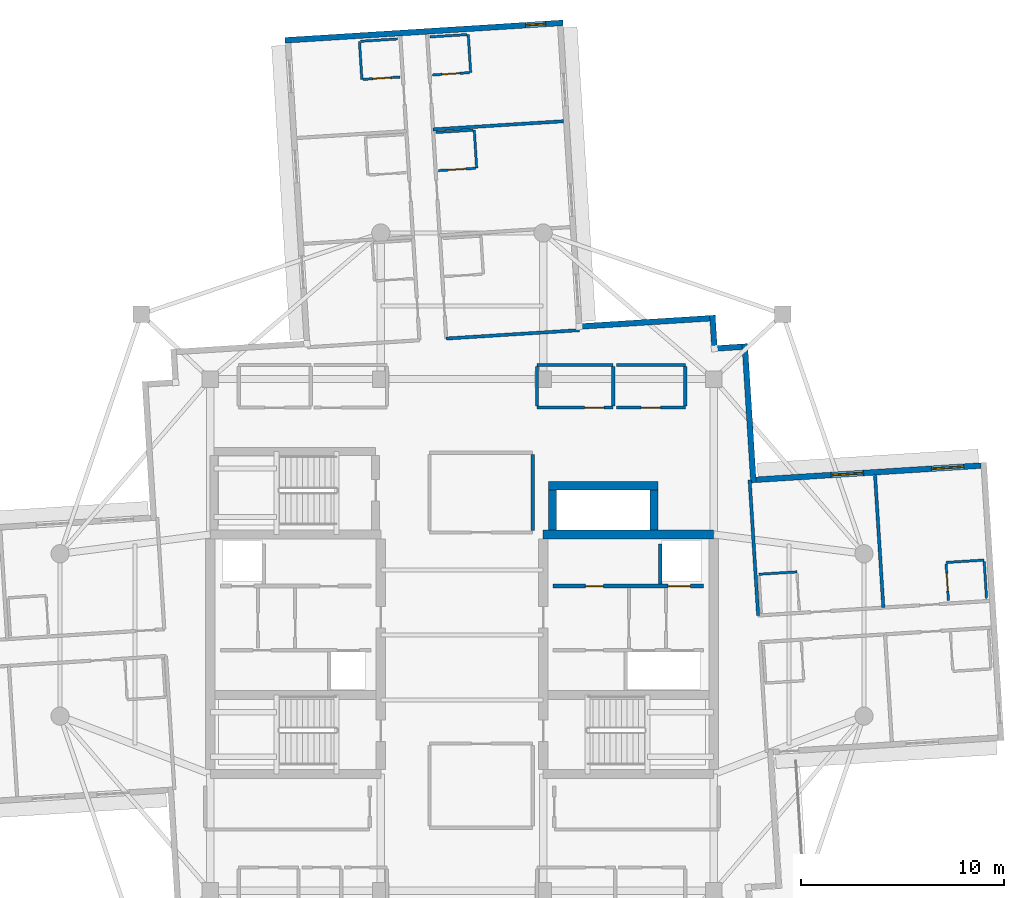
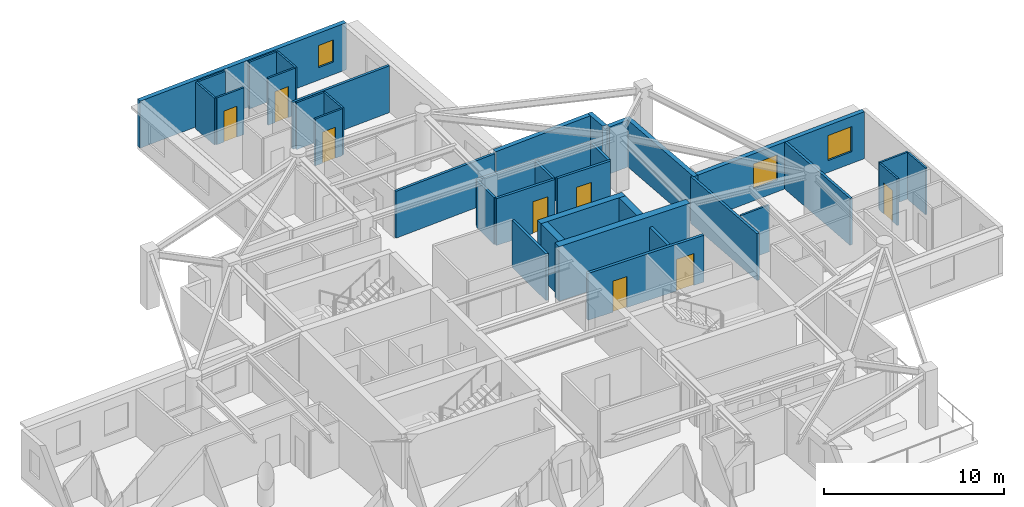
# One storey, part 8 of 13: 37 walls, 8 doors, 3 windows, 11 openings.
"""IFC4 building model written with IfcOpenShell, lengths in metres."""

from ifc_helpers import new_model, si_unit, direction, frame, frame_2d, origin, place, context, subcontext, project, spatial, rectangle, extrude, material, layer, layer_set, type_object, element, fill, save


model = new_model("IFC4")

# Units and contexts
model_context = context("Model", 3, precision=1e-05, world=origin(), true_north=direction((0.0, 1.0)))
body_context = subcontext(model_context, "Body", "Model", "MODEL_VIEW")
ifc_project = project(units=[si_unit("LENGTHUNIT", "METRE"), si_unit("AREAUNIT", "SQUARE_METRE"), si_unit("VOLUMEUNIT", "CUBIC_METRE"), si_unit("PLANEANGLEUNIT", "RADIAN"), si_unit("MASSUNIT", "GRAM", prefix="KILO")], contexts=[model_context])

# Site, building, storey
site_placement = place(None, origin())
site = spatial("IfcSite", under=ifc_project, at=site_placement, CompositionType="ELEMENT")
building_placement = place(site_placement, origin())
building = spatial("IfcBuilding", under=site, at=building_placement, Name="Qingluan Cross Belvedere", CompositionType="ELEMENT")
storey_placement = place(building_placement, frame((0.0, 0.0, 281.10009765625)))
storey = spatial("IfcBuildingStorey", under=building, at=storey_placement, Name="L70", CompositionType="ELEMENT", Elevation=281.10009765625)

# Walls
ifc_material_1 = material(Name="Concrete C50", Category="concrete")
ifc_layer_1 = layer(ifc_material_1, 0.449951171875, Name="CoreShearWall_450")
ifc_layer_set_1 = layer_set([ifc_layer_1], Name="Concrete C50")
wall_type_1 = type_object("IfcWallType", Name="CoreShearWall_450", PredefinedType="SHEAR", material=ifc_layer_set_1)
wall_1_placement = place(storey_placement, frame((4.0, 4.949951171875, 0.0), z_axis=(0.0, 0.0, 1.0), x_axis=(1.0, 0.0, 0.0)))
element("IfcWall", 1, at=wall_1_placement, inside=storey, type_object=wall_type_1, Name="Split core E shear wall L70-N", PredefinedType="SHEAR", context=body_context, shape_type="SweptSolid", body=[
    extrude(rectangle(XDim=8.39990234375, YDim=0.449951171875, at=frame_2d((4.199951171875, 0.0))), origin(), (0.0, 0.0, 1.0), 3.699951171875),
])
wall_2_placement = place(storey_placement, frame((4.449951171875, 5.179931640625, 0.0), z_axis=(0.0, 0.0, 1.0), x_axis=(0.0, 1.0, 0.0)))
element("IfcWall", 2, at=wall_2_placement, inside=storey, type_object=wall_type_1, Name="Express shuttle core wall L70-W", PredefinedType="SHEAR", context=body_context, shape_type="SweptSolid", body=[
    extrude(rectangle(XDim=1.9599609375, YDim=0.39990234375, at=frame_2d((0.97998046875, 0.0))), origin(), (0.0, 0.0, 1.0), 3.699951171875),
])
wall_3_placement = place(storey_placement, frame((4.25, 7.35009765625, 0.0), z_axis=(0.0, 0.0, 1.0), x_axis=(1.0, 0.0, 0.0)))
element("IfcWall", 3, at=wall_3_placement, inside=storey, type_object=wall_type_1, Name="Express shuttle core wall L70-N", PredefinedType="SHEAR", context=body_context, shape_type="SweptSolid", body=[
    extrude(rectangle(XDim=5.39990234375, YDim=0.39990234375, at=frame_2d((2.699951171875, 0.0))), origin(), (0.0, 0.0, 1.0), 3.699951171875),
])
wall_4_placement = place(storey_placement, frame((9.449951171875, 5.179931640625, 0.0), z_axis=(0.0, 0.0, 1.0), x_axis=(0.0, 1.0, 0.0)))
element("IfcWall", 4, at=wall_4_placement, inside=storey, type_object=wall_type_1, Name="Express shuttle core wall L70-E", PredefinedType="SHEAR", context=body_context, shape_type="SweptSolid", body=[
    extrude(rectangle(XDim=1.9599609375, YDim=0.39990234375, at=frame_2d((0.97998046875, 0.0))), origin(), (0.0, 0.0, 1.0), 3.699951171875),
])

# Wall, opening, door
ifc_material_2 = material(Name="Gypsum plasterboard on steel stud acoustic partition", Category="steel")
ifc_layer_2 = layer(ifc_material_2, 0.159912109375, Name="CorridorPartition_160")
ifc_layer_set_2 = layer_set([ifc_layer_2], Name="Gypsum plasterboard on steel stud acoustic partition")
wall_type_2 = type_object("IfcWallType", Name="CorridorPartition_160", PredefinedType="PARTITIONING", material=ifc_layer_set_2)
wall_5_placement = place(storey_placement, frame((3.699951171875, 11.199951171875, 0.0), z_axis=(0.0, 0.0, 1.0), x_axis=(1.0, 0.0, 0.0)))
wall_5 = element("IfcWall", 5, at=wall_5_placement, inside=storey, type_object=wall_type_2, Name="Partition L70:q_ne1:S", PredefinedType="PARTITIONING", context=body_context, shape_type="SweptSolid", body=[
    extrude(rectangle(XDim=3.75, YDim=0.159912109375, at=frame_2d((1.875, 0.0))), origin(), (0.0, 0.0, 1.0), 3.169921875),
])
opening_1_placement = place(wall_5_placement, frame((2.344970703125, 0.0, 0.0)))
opening_1 = element("IfcOpeningElement", 6, at=opening_1_placement, cuts=wall_5, Name="Opening GD-10", PredefinedType="OPENING", context=body_context, shape_type="SweptSolid", body=[
    extrude(rectangle(XDim=0.9599609375, YDim=2.14990234375, at=frame_2d((0.47998046875, 1.074951171875))), frame((0.0, 0.08984375, 0.0), z_axis=(0.0, -1.0, 0.0), x_axis=(1.0, 0.0, 0.0)), (0.0, 0.0, 1.0), 0.179931640625),
])
ifc_material_3 = material(Name="Timber oak fire-rated acoustic guestroom door", Category="wood")
door_type_1 = type_object("IfcDoorType", Name="GuestEntryDoor_FD60", OperationType="NOTDEFINED", PredefinedType="DOOR", material=ifc_material_3)
door_1_placement = place(opening_1_placement, origin())
door_1 = element("IfcDoor", 7, at=door_1_placement, inside=storey, type_object=door_type_1, Name="Belvedere club lounge L70 door", OperationType="SINGLE_SWING_RIGHT", OverallHeight=2.14990234375, OverallWidth=0.9599609375, PredefinedType="DOOR", context=body_context, shape_type="SweptSolid", body=[
    extrude(rectangle(XDim=0.9599609375, YDim=2.14990234375, at=frame_2d((0.47998046875, 1.074951171875))), frame((0.0, 0.02490234375, 0.0), z_axis=(0.0, -1.0, 0.0), x_axis=(1.0, 0.0, 0.0)), (0.0, 0.0, 1.0), 0.050048828125),
])
fill(opening_1, door_1)

# Walls
wall_6_placement = place(storey_placement, frame((3.699951171875, 13.300048828125, 0.0), z_axis=(0.0, 0.0, 1.0), x_axis=(1.0, 0.0, 0.0)))
element("IfcWall", 8, at=wall_6_placement, inside=storey, type_object=wall_type_2, Name="Partition L70:q_ne1:N", PredefinedType="PARTITIONING", context=body_context, shape_type="SweptSolid", body=[
    extrude(rectangle(XDim=3.75, YDim=0.159912109375, at=frame_2d((1.875, 0.0))), origin(), (0.0, 0.0, 1.0), 3.169921875),
])
for number, where, z_axis, x_axis, name in (
    (9, (3.699951171875, 11.284912109375, 0.0), (0.0, 0.0, 1.0), (0.0, 1.0, 0.0), "Partition L70:q_ne1:W"),
    (10, (7.449951171875, 11.284912109375, 0.0), (0.0, 0.0, 1.0), (0.0, 1.0, 0.0), "Partition L70:q_ne1:E"),
):
    element("IfcWall", number, at=place(storey_placement, frame(where, z_axis=z_axis, x_axis=x_axis)), inside=storey, type_object=wall_type_2, Name=name, PredefinedType="PARTITIONING", context=body_context, shape_type="SweptSolid", body=[
        extrude(rectangle(XDim=1.93017578125, YDim=0.159912109375, at=frame_2d((0.965087890625, 0.0))), origin(), (0.0, 0.0, 1.0), 3.169921875),
    ])

# Wall, opening, door
wall_7_placement = place(storey_placement, frame((7.610107421875, 11.199951171875, 0.0), z_axis=(0.0, 0.0, 1.0), x_axis=(1.0, 0.0, 0.0)))
wall_7 = element("IfcWall", 11, at=wall_7_placement, inside=storey, type_object=wall_type_2, Name="Partition L70:q_ne2:S", PredefinedType="PARTITIONING", context=body_context, shape_type="SweptSolid", body=[
    extrude(rectangle(XDim=3.389892578125, YDim=0.159912109375, at=frame_2d((1.69482421875, 0.0))), origin(), (0.0, 0.0, 1.0), 3.169921875),
])
opening_2_placement = place(wall_7_placement, frame((1.215087890625, 0.0, 0.0)))
opening_2 = element("IfcOpeningElement", 12, at=opening_2_placement, cuts=wall_7, Name="Opening GD-10", PredefinedType="OPENING", context=body_context, shape_type="SweptSolid", body=[
    extrude(rectangle(XDim=0.9599609375, YDim=2.14990234375, at=frame_2d((0.47998046875, 1.074951171875))), frame((0.0, 0.08984375, 0.0), z_axis=(0.0, -1.0, 0.0), x_axis=(1.0, 0.0, 0.0)), (0.0, 0.0, 1.0), 0.179931640625),
])
door_2_placement = place(opening_2_placement, origin())
door_2 = element("IfcDoor", 13, at=door_2_placement, inside=storey, type_object=door_type_1, Name="Northeast tea salon L70 door", OperationType="SINGLE_SWING_LEFT", OverallHeight=2.14990234375, OverallWidth=0.9599609375, PredefinedType="DOOR", context=body_context, shape_type="SweptSolid", body=[
    extrude(rectangle(XDim=0.9599609375, YDim=2.14990234375, at=frame_2d((0.47998046875, 1.074951171875))), frame((0.0, 0.02490234375, 0.0), z_axis=(0.0, -1.0, 0.0), x_axis=(1.0, 0.0, 0.0)), (0.0, 0.0, 1.0), 0.050048828125),
])
fill(opening_2, door_2)

# Walls
wall_8_placement = place(storey_placement, frame((7.610107421875, 13.300048828125, 0.0), z_axis=(0.0, 0.0, 1.0), x_axis=(1.0, 0.0, 0.0)))
element("IfcWall", 14, at=wall_8_placement, inside=storey, type_object=wall_type_2, Name="Partition L70:q_ne2:N", PredefinedType="PARTITIONING", context=body_context, shape_type="SweptSolid", body=[
    extrude(rectangle(XDim=3.389892578125, YDim=0.159912109375, at=frame_2d((1.69482421875, 0.0))), origin(), (0.0, 0.0, 1.0), 3.169921875),
])
wall_9_placement = place(storey_placement, frame((11.0, 11.284912109375, 0.0), z_axis=(0.0, 0.0, 1.0), x_axis=(0.0, 1.0, 0.0)))
element("IfcWall", 15, at=wall_9_placement, inside=storey, type_object=wall_type_2, Name="Partition L70:q_ne2:E", PredefinedType="PARTITIONING", context=body_context, shape_type="SweptSolid", body=[
    extrude(rectangle(XDim=1.93017578125, YDim=0.159912109375, at=frame_2d((0.965087890625, 0.0))), origin(), (0.0, 0.0, 1.0), 3.169921875),
])
wall_10_placement = place(storey_placement, frame((3.47998046875, 5.135009765625, 0.0), z_axis=(0.0, 0.0, 1.0), x_axis=(0.0, 1.0, 0.0)))
element("IfcWall", 16, at=wall_10_placement, inside=storey, type_object=wall_type_2, Name="Partition L70:sky_tea_alcove:E", PredefinedType="PARTITIONING", context=body_context, shape_type="SweptSolid", body=[
    extrude(rectangle(XDim=3.760009765625, YDim=0.159912109375, at=frame_2d((1.8798828125, 0.0))), origin(), (0.0, 0.0, 1.0), 3.169921875),
])
wall_11_placement = place(storey_placement, frame((14.588623046875, 0.9580078125, 0.0), z_axis=(0.0, 0.0, 1.0), x_axis=(-0.062790125682, 0.998026753207, 0.0)))
element("IfcWall", 17, at=wall_11_placement, inside=storey, type_object=wall_type_2, Name="Partition L70:E:s0", PredefinedType="PARTITIONING", context=body_context, shape_type="SweptSolid", body=[
    extrude(rectangle(XDim=6.679931640625, YDim=0.159912109375, at=frame_2d((3.33984375, 0.0))), origin(), (0.0, 0.0, 1.0), 3.169921875),
])
wall_12_placement = place(storey_placement, frame((20.75634765625, 1.345947265625, 0.0), z_axis=(0.0, 0.0, 1.0), x_axis=(-0.062792476105, 0.998026605329, 0.0)))
element("IfcWall", 18, at=wall_12_placement, inside=storey, type_object=wall_type_2, Name="Partition L70:E:d0_0", PredefinedType="PARTITIONING", context=body_context, shape_type="SweptSolid", body=[
    extrude(rectangle(XDim=6.531982421875, YDim=0.159912109375, at=frame_2d((3.26611328125, 0.0))), origin(), (0.0, 0.0, 1.0), 3.169921875),
])
wall_13_placement = place(storey_placement, frame((-0.7783203125, 14.599853515625, 0.0), z_axis=(0.0, 0.0, 1.0), x_axis=(0.998025197366, 0.062814850334, 0.0)))
element("IfcWall", 19, at=wall_13_placement, inside=storey, type_object=wall_type_2, Name="Partition L70:N:s0", PredefinedType="PARTITIONING", context=body_context, shape_type="SweptSolid", body=[
    extrude(rectangle(XDim=6.580078125, YDim=0.159912109375, at=frame_2d((3.2900390625, 0.0))), origin(), (0.0, 0.0, 1.0), 3.169921875),
])
wall_14_placement = place(storey_placement, frame((-1.42626953125, 24.900634765625, 0.0), z_axis=(0.0, 0.0, 1.0), x_axis=(0.998027240637, 0.062782377668, 0.0)))
element("IfcWall", 20, at=wall_14_placement, inside=storey, type_object=wall_type_2, Name="Partition L70:N:d0_1", PredefinedType="PARTITIONING", context=body_context, shape_type="SweptSolid", body=[
    extrude(rectangle(XDim=6.431884765625, YDim=0.159912109375, at=frame_2d((3.2158203125, 0.0))), origin(), (0.0, 0.0, 1.0), 3.169921875),
])
ifc_material_4 = material(Name="Moisture-resistant gypsum board lining")
ifc_layer_3 = layer(ifc_material_4, 0.1201171875, Name="EnsuiteWetPartition_120")
ifc_layer_set_3 = layer_set([ifc_layer_3], Name="Moisture-resistant gypsum board lining")
wall_type_3 = type_object("IfcWallType", Name="EnsuiteWetPartition_120", PredefinedType="PARTITIONING", material=ifc_layer_set_3)
wall_15_placement = place(storey_placement, frame((14.62109375, 2.989013671875, 0.0), z_axis=(0.0, 0.0, 1.0), x_axis=(0.998031300018, 0.062717813936, 0.0)))
element("IfcWall", 21, at=wall_15_placement, inside=storey, type_object=wall_type_3, Name="Partition L70:E:bn0_0", PredefinedType="PARTITIONING", context=body_context, shape_type="SweptSolid", body=[
    extrude(rectangle(XDim=1.880126953125, YDim=0.1201171875, at=frame_2d((0.93994140625, 0.0))), origin(), (0.0, 0.0, 1.0), 3.169921875),
])

# Wall, opening, door
wall_16_placement = place(storey_placement, frame((23.961181640625, 1.68798828125, 0.0), z_axis=(0.0, 0.0, 1.0), x_axis=(-0.062779145668, 0.998027443946, 0.0)))
wall_16 = element("IfcWall", 22, at=wall_16_placement, inside=storey, type_object=wall_type_3, Name="Partition L70:E:bs0_1", PredefinedType="PARTITIONING", context=body_context, shape_type="SweptSolid", body=[
    extrude(rectangle(XDim=1.820068359375, YDim=0.1201171875, at=frame_2d((0.91015625, 0.0))), origin(), (0.0, 0.0, 1.0), 3.169921875),
])
opening_3_placement = place(wall_16_placement, frame((0.469970703125, 0.0, 0.0)))
opening_3 = element("IfcOpeningElement", 23, at=opening_3_placement, cuts=wall_16, Name="Opening BD-09", PredefinedType="OPENING", context=body_context, shape_type="SweptSolid", body=[
    extrude(rectangle(XDim=0.8798828125, YDim=2.10009765625, at=frame_2d((0.43994140625, 1.050048828125))), frame((0.0, 0.070068359375, 0.0), z_axis=(0.0, -1.0, 0.0), x_axis=(1.0, 0.0, 0.0)), (0.0, 0.0, 1.0), 0.14013671875),
])
ifc_material_5 = material(Name="Moisture-sealed timber en-suite door", Category="wood")
door_type_2 = type_object("IfcDoorType", Name="BathroomDoor_880", OperationType="NOTDEFINED", PredefinedType="DOOR", material=ifc_material_5)
door_3_placement = place(opening_3_placement, origin())
door_3 = element("IfcDoor", 24, at=door_3_placement, inside=storey, type_object=door_type_2, Name="Bathroom door 7002", OperationType="SINGLE_SWING_RIGHT", OverallHeight=2.10009765625, OverallWidth=0.8798828125, PredefinedType="DOOR", context=body_context, shape_type="SweptSolid", body=[
    extrude(rectangle(XDim=0.8798828125, YDim=2.10009765625, at=frame_2d((0.43994140625, 1.050048828125))), frame((0.0, 0.02490234375, 0.0), z_axis=(0.0, -1.0, 0.0), x_axis=(1.0, 0.0, 0.0)), (0.0, 0.0, 1.0), 0.050048828125),
])
fill(opening_3, door_3)

# Walls
wall_17_placement = place(storey_placement, frame((25.837646484375, 1.805908203125, 0.0), z_axis=(0.0, 0.0, 1.0), x_axis=(-0.062779145668, 0.998027443946, 0.0)))
element("IfcWall", 25, at=wall_17_placement, inside=storey, type_object=wall_type_3, Name="Partition L70:E:bw0_1", PredefinedType="PARTITIONING", context=body_context, shape_type="SweptSolid", body=[
    extrude(rectangle(XDim=1.820068359375, YDim=0.1201171875, at=frame_2d((0.91015625, 0.0))), origin(), (0.0, 0.0, 1.0), 3.169921875),
])
wall_18_placement = place(storey_placement, frame((23.843017578125, 3.569091796875, 0.0), z_axis=(0.0, 0.0, 1.0), x_axis=(0.998022650819, 0.062855297722, 0.0)))
element("IfcWall", 26, at=wall_18_placement, inside=storey, type_object=wall_type_3, Name="Partition L70:E:bn0_1", PredefinedType="PARTITIONING", context=body_context, shape_type="SweptSolid", body=[
    extrude(rectangle(XDim=1.8798828125, YDim=0.1201171875, at=frame_2d((0.93994140625, 0.0))), origin(), (0.0, 0.0, 1.0), 3.169921875),
])

# Wall, opening, door
wall_19_placement = place(storey_placement, frame((-1.158447265625, 22.873291015625, 0.0), z_axis=(0.0, 0.0, 1.0), x_axis=(0.998019030272, 0.062912758763, 0.0)))
wall_19 = element("IfcWall", 27, at=wall_19_placement, inside=storey, type_object=wall_type_3, Name="Partition L70:N:bs0_1", PredefinedType="PARTITIONING", context=body_context, shape_type="SweptSolid", body=[
    extrude(rectangle(XDim=1.820068359375, YDim=0.1201171875, at=frame_2d((0.91015625, 0.0))), origin(), (0.0, 0.0, 1.0), 3.169921875),
])
opening_4_placement = place(wall_19_placement, frame((0.469970703125, 0.0, 0.0)))
opening_4 = element("IfcOpeningElement", 28, at=opening_4_placement, cuts=wall_19, Name="Opening BD-09", PredefinedType="OPENING", context=body_context, shape_type="SweptSolid", body=[
    extrude(rectangle(XDim=0.8798828125, YDim=2.10009765625, at=frame_2d((0.43994140625, 1.050048828125))), frame((0.0, 0.070068359375, 0.0), z_axis=(0.0, -1.0, 0.0), x_axis=(1.0, 0.0, 0.0)), (0.0, 0.0, 1.0), 0.14013671875),
])
door_4_placement = place(opening_4_placement, origin())
door_4 = element("IfcDoor", 29, at=door_4_placement, inside=storey, type_object=door_type_2, Name="Bathroom door 7010", OperationType="SINGLE_SWING_RIGHT", OverallHeight=2.10009765625, OverallWidth=0.8798828125, PredefinedType="DOOR", context=body_context, shape_type="SweptSolid", body=[
    extrude(rectangle(XDim=0.8798828125, YDim=2.10009765625, at=frame_2d((0.43994140625, 1.050048828125))), frame((0.0, 0.02490234375, 0.0), z_axis=(0.0, -1.0, 0.0), x_axis=(1.0, 0.0, 0.0)), (0.0, 0.0, 1.0), 0.050048828125),
])
fill(opening_4, door_4)

# Walls
wall_20_placement = place(storey_placement, frame((-1.276611328125, 24.749755859375, 0.0), z_axis=(0.0, 0.0, 1.0), x_axis=(0.998027443946, 0.062779145668, 0.0)))
element("IfcWall", 30, at=wall_20_placement, inside=storey, type_object=wall_type_3, Name="Partition L70:N:bw0_1", PredefinedType="PARTITIONING", context=body_context, shape_type="SweptSolid", body=[
    extrude(rectangle(XDim=1.820068359375, YDim=0.1201171875, at=frame_2d((0.91015625, 0.0))), origin(), (0.0, 0.0, 1.0), 3.169921875),
])
wall_21_placement = place(storey_placement, frame((0.722900390625, 22.99169921875, 0.0), z_axis=(0.0, 0.0, 1.0), x_axis=(-0.062855297722, 0.998022650819, 0.0)))
element("IfcWall", 31, at=wall_21_placement, inside=storey, type_object=wall_type_3, Name="Partition L70:N:bn0_1", PredefinedType="PARTITIONING", context=body_context, shape_type="SweptSolid", body=[
    extrude(rectangle(XDim=1.8798828125, YDim=0.1201171875, at=frame_2d((0.93994140625, 0.0))), origin(), (0.0, 0.0, 1.0), 3.169921875),
])

# Wall, opening, door
wall_22_placement = place(storey_placement, frame((-1.454833984375, 27.5830078125, 0.0), z_axis=(0.0, 0.0, 1.0), x_axis=(0.998019030272, 0.062912758763, 0.0)))
wall_22 = element("IfcWall", 32, at=wall_22_placement, inside=storey, type_object=wall_type_3, Name="Partition L70:N:bs0_2", PredefinedType="PARTITIONING", context=body_context, shape_type="SweptSolid", body=[
    extrude(rectangle(XDim=1.820068359375, YDim=0.1201171875, at=frame_2d((0.91015625, 0.0))), origin(), (0.0, 0.0, 1.0), 3.169921875),
])
opening_5_placement = place(wall_22_placement, frame((0.469970703125, 0.0, 0.0)))
opening_5 = element("IfcOpeningElement", 33, at=opening_5_placement, cuts=wall_22, Name="Opening BD-09", PredefinedType="OPENING", context=body_context, shape_type="SweptSolid", body=[
    extrude(rectangle(XDim=0.8798828125, YDim=2.10009765625, at=frame_2d((0.43994140625, 1.050048828125))), frame((0.0, 0.070068359375, 0.0), z_axis=(0.0, -1.0, 0.0), x_axis=(1.0, 0.0, 0.0)), (0.0, 0.0, 1.0), 0.14013671875),
])
door_5_placement = place(opening_5_placement, origin())
door_5 = element("IfcDoor", 34, at=door_5_placement, inside=storey, type_object=door_type_2, Name="Bathroom door 7011", OperationType="SINGLE_SWING_RIGHT", OverallHeight=2.10009765625, OverallWidth=0.8798828125, PredefinedType="DOOR", context=body_context, shape_type="SweptSolid", body=[
    extrude(rectangle(XDim=0.8798828125, YDim=2.10009765625, at=frame_2d((0.43994140625, 1.050048828125))), frame((0.0, 0.02490234375, 0.0), z_axis=(0.0, -1.0, 0.0), x_axis=(1.0, 0.0, 0.0)), (0.0, 0.0, 1.0), 0.050048828125),
])
fill(opening_5, door_5)

# Walls
wall_23_placement = place(storey_placement, frame((-1.572998046875, 29.45947265625, 0.0), z_axis=(0.0, 0.0, 1.0), x_axis=(0.998035839873, 0.062645529196, 0.0)))
element("IfcWall", 35, at=wall_23_placement, inside=storey, type_object=wall_type_3, Name="Partition L70:N:bw0_2", PredefinedType="PARTITIONING", context=body_context, shape_type="SweptSolid", body=[
    extrude(rectangle(XDim=1.820068359375, YDim=0.1201171875, at=frame_2d((0.91015625, 0.0))), origin(), (0.0, 0.0, 1.0), 3.169921875),
])
wall_24_placement = place(storey_placement, frame((0.426513671875, 27.701416015625, 0.0), z_axis=(0.0, 0.0, 1.0), x_axis=(-0.062855297722, 0.998022650819, 0.0)))
element("IfcWall", 36, at=wall_24_placement, inside=storey, type_object=wall_type_3, Name="Partition L70:N:bn0_2", PredefinedType="PARTITIONING", context=body_context, shape_type="SweptSolid", body=[
    extrude(rectangle(XDim=1.8798828125, YDim=0.1201171875, at=frame_2d((0.93994140625, 0.0))), origin(), (0.0, 0.0, 1.0), 3.169921875),
])

# Wall, opening, door
wall_25_placement = place(storey_placement, frame((-4.8681640625, 27.368408203125, 0.0), z_axis=(0.0, 0.0, 1.0), x_axis=(0.998027443946, 0.062779145668, 0.0)))
wall_25 = element("IfcWall", 37, at=wall_25_placement, inside=storey, type_object=wall_type_3, Name="Partition L70:N:bs1_2", PredefinedType="PARTITIONING", context=body_context, shape_type="SweptSolid", body=[
    extrude(rectangle(XDim=1.820068359375, YDim=0.1201171875, at=frame_2d((0.91015625, 0.0))), origin(), (0.0, 0.0, 1.0), 3.169921875),
])
opening_6_placement = place(wall_25_placement, frame((0.469970703125, 0.0, 0.0)))
opening_6 = element("IfcOpeningElement", 38, at=opening_6_placement, cuts=wall_25, Name="Opening BD-09", PredefinedType="OPENING", context=body_context, shape_type="SweptSolid", body=[
    extrude(rectangle(XDim=0.8798828125, YDim=2.10009765625, at=frame_2d((0.43994140625, 1.050048828125))), frame((0.0, 0.070068359375, 0.0), z_axis=(0.0, -1.0, 0.0), x_axis=(1.0, 0.0, 0.0)), (0.0, 0.0, 1.0), 0.14013671875),
])
door_6_placement = place(opening_6_placement, origin())
door_6 = element("IfcDoor", 39, at=door_6_placement, inside=storey, type_object=door_type_2, Name="Bathroom door 7014", OperationType="SINGLE_SWING_RIGHT", OverallHeight=2.10009765625, OverallWidth=0.8798828125, PredefinedType="DOOR", context=body_context, shape_type="SweptSolid", body=[
    extrude(rectangle(XDim=0.8798828125, YDim=2.10009765625, at=frame_2d((0.43994140625, 1.050048828125))), frame((0.0, 0.02490234375, 0.0), z_axis=(0.0, -1.0, 0.0), x_axis=(1.0, 0.0, 0.0)), (0.0, 0.0, 1.0), 0.050048828125),
])
fill(opening_6, door_6)

# Walls
wall_26_placement = place(storey_placement, frame((-4.986083984375, 29.24462890625, 0.0), z_axis=(0.0, 0.0, 1.0), x_axis=(0.998027443946, 0.062779145668, 0.0)))
element("IfcWall", 40, at=wall_26_placement, inside=storey, type_object=wall_type_3, Name="Partition L70:N:bw1_2", PredefinedType="PARTITIONING", context=body_context, shape_type="SweptSolid", body=[
    extrude(rectangle(XDim=1.820068359375, YDim=0.1201171875, at=frame_2d((0.91015625, 0.0))), origin(), (0.0, 0.0, 1.0), 3.169921875),
])
wall_27_placement = place(storey_placement, frame((-4.932861328125, 27.3642578125, 0.0), z_axis=(0.0, 0.0, 1.0), x_axis=(-0.062855297722, 0.998022650819, 0.0)))
element("IfcWall", 41, at=wall_27_placement, inside=storey, type_object=wall_type_3, Name="Partition L70:N:bc1_2", PredefinedType="PARTITIONING", context=body_context, shape_type="SweptSolid", body=[
    extrude(rectangle(XDim=1.8798828125, YDim=0.1201171875, at=frame_2d((0.93994140625, 0.0))), origin(), (0.0, 0.0, 1.0), 3.169921875),
])

# Wall, openings, windows
ifc_material_6 = material(Name="Precast concrete C45", Category="concrete")
ifc_layer_4 = layer(ifc_material_6, 0.280029296875, Name="PrecastFacadeWall_280")
ifc_layer_set_4 = layer_set([ifc_layer_4], Name="Precast concrete C45")
wall_type_4 = type_object("IfcWallType", Name="PrecastFacadeWall_280", PredefinedType="STANDARD", material=ifc_layer_set_4)
wall_28_placement = place(storey_placement, frame((25.566650390625, 8.341796875, 0.0), z_axis=(0.0, 0.0, 1.0), x_axis=(-0.998026474727, -0.062794551863, 0.0)))
wall_28 = element("IfcWall", 42, at=wall_28_placement, inside=storey, type_object=wall_type_4, Name="Facade wall L70-EB", PredefinedType="STANDARD", context=body_context, shape_type="SweptSolid", body=[
    extrude(rectangle(XDim=11.10009765625, YDim=0.280029296875, at=frame_2d((5.550048828125, 0.0))), origin(), (0.0, 0.0, 1.0), 3.179931640625),
])
opening_7_placement = place(wall_28_placement, frame((0.85009765625, 0.0, 0.800048828125)))
opening_7 = element("IfcOpeningElement", 43, at=opening_7_placement, cuts=wall_28, Name="Opening W-04", PredefinedType="OPENING", context=body_context, shape_type="SweptSolid", body=[
    extrude(rectangle(XDim=1.60009765625, YDim=1.699951171875, at=frame_2d((0.800048828125, 0.85009765625))), frame((0.0, 0.14990234375, 0.0), z_axis=(0.0, -1.0, 0.0), x_axis=(1.0, 0.0, 0.0)), (0.0, 0.0, 1.0), 0.300048828125),
])
opening_8_placement = place(wall_28_placement, frame((5.800048828125, 0.0, 0.800048828125)))
opening_8 = element("IfcOpeningElement", 44, at=opening_8_placement, cuts=wall_28, Name="Opening W-04", PredefinedType="OPENING", context=body_context, shape_type="SweptSolid", body=[
    extrude(rectangle(XDim=1.60009765625, YDim=1.699951171875, at=frame_2d((0.800048828125, 0.85009765625))), frame((0.0, 0.14990234375, 0.0), z_axis=(0.0, -1.0, 0.0), x_axis=(1.0, 0.0, 0.0)), (0.0, 0.0, 1.0), 0.300048828125),
])
ifc_material_7 = material(Name="Thermally broken triple Low-E glass in aluminium frame", Category="aluminium")
window_type_1 = type_object("IfcWindowType", Name="SuiteCornerWin_1600x1700", PartitioningType="SINGLE_PANEL", PredefinedType="WINDOW", material=ifc_material_7)
window_1_placement = place(opening_7_placement, origin())
window_1 = element("IfcWindow", 45, at=window_1_placement, inside=storey, type_object=window_type_1, Name="Ribbon window L70-EB-1", OverallHeight=1.699951171875, OverallWidth=1.60009765625, PartitioningType="SINGLE_PANEL", PredefinedType="WINDOW", context=body_context, shape_type="SweptSolid", body=[
    extrude(rectangle(XDim=1.60009765625, YDim=1.699951171875, at=frame_2d((0.800048828125, 0.85009765625))), frame((0.0, 0.030029296875, 0.0), z_axis=(0.0, -1.0, 0.0), x_axis=(1.0, 0.0, 0.0)), (0.0, 0.0, 1.0), 0.06005859375),
])
fill(opening_7, window_1)
window_2_placement = place(opening_8_placement, origin())
window_2 = element("IfcWindow", 46, at=window_2_placement, inside=storey, type_object=window_type_1, Name="Ribbon window L70-EB-2", OverallHeight=1.699951171875, OverallWidth=1.60009765625, PartitioningType="SINGLE_PANEL", PredefinedType="WINDOW", context=body_context, shape_type="SweptSolid", body=[
    extrude(rectangle(XDim=1.60009765625, YDim=1.699951171875, at=frame_2d((0.800048828125, 0.85009765625))), frame((0.0, 0.030029296875, 0.0), z_axis=(0.0, -1.0, 0.0), x_axis=(1.0, 0.0, 0.0)), (0.0, 0.0, 1.0), 0.06005859375),
])
fill(opening_8, window_2)

# Wall, opening, window
wall_29_placement = place(storey_placement, frame((4.9765625, 30.152099609375, 0.0), z_axis=(0.0, 0.0, 1.0), x_axis=(-0.998026318072, -0.062797041623, 0.0)))
wall_29 = element("IfcWall", 47, at=wall_29_placement, inside=storey, type_object=wall_type_4, Name="Arm tip precast facade wall L70-N", PredefinedType="STANDARD", context=body_context, shape_type="SweptSolid", body=[
    extrude(rectangle(XDim=13.719970703125, YDim=0.280029296875, at=frame_2d((6.85986328125, 0.0))), origin(), (0.0, 0.0, 1.0), 3.179931640625),
])
opening_9_placement = place(wall_29_placement, frame((0.85009765625, 0.0, 0.85009765625)))
opening_9 = element("IfcOpeningElement", 48, at=opening_9_placement, cuts=wall_29, Name="Opening W-03", PredefinedType="OPENING", context=body_context, shape_type="SweptSolid", body=[
    extrude(rectangle(XDim=1.0, YDim=1.5, at=frame_2d((0.5, 0.75))), frame((0.0, 0.14990234375, 0.0), z_axis=(0.0, -1.0, 0.0), x_axis=(1.0, 0.0, 0.0)), (0.0, 0.0, 1.0), 0.300048828125),
])
ifc_material_8 = material(Name="Thermally broken triple Low-E glass in aluminium frame", Category="aluminium")
window_type_2 = type_object("IfcWindowType", Name="TriApexWin_1000x1500", PartitioningType="SINGLE_PANEL", PredefinedType="WINDOW", material=ifc_material_8)
window_3_placement = place(opening_9_placement, origin())
window_3 = element("IfcWindow", 49, at=window_3_placement, inside=storey, type_object=window_type_2, Name="Arm tip triangular window L70-N", OverallHeight=1.5, OverallWidth=1.0, PartitioningType="SINGLE_PANEL", PredefinedType="WINDOW", context=body_context, shape_type="SweptSolid", body=[
    extrude(rectangle(XDim=1.0, YDim=1.5, at=frame_2d((0.5, 0.75))), frame((0.0, 0.030029296875, 0.0), z_axis=(0.0, -1.0, 0.0), x_axis=(1.0, 0.0, 0.0)), (0.0, 0.0, 1.0), 0.06005859375),
])
fill(opening_9, window_3)

# Walls
wall_30_placement = place(storey_placement, frame((14.357666015625, 7.496337890625, 0.0), z_axis=(0.0, 0.0, 1.0), x_axis=(-0.062779317195, 0.998027433156, 0.0)))
element("IfcWall", 50, at=wall_30_placement, inside=storey, type_object=wall_type_4, Name="Corner wall L70-NE1", PredefinedType="STANDARD", context=body_context, shape_type="SweptSolid", body=[
    extrude(rectangle(XDim=6.85986328125, YDim=0.280029296875, at=frame_2d((3.429931640625, 0.0))), origin(), (0.0, 0.0, 1.0), 3.179931640625),
])
wall_31_placement = place(storey_placement, frame((13.7958984375, 14.1943359375, 0.0), z_axis=(0.0, 0.0, 1.0), x_axis=(-0.998023660242, -0.06283926796, 0.0)))
element("IfcWall", 51, at=wall_31_placement, inside=storey, type_object=wall_type_4, Name="Corner wall L70-NE2", PredefinedType="STANDARD", context=body_context, shape_type="SweptSolid", body=[
    extrude(rectangle(XDim=1.219970703125, YDim=0.280029296875, at=frame_2d((0.60986328125, 0.0))), origin(), (0.0, 0.0, 1.0), 3.179931640625),
])
wall_32_placement = place(storey_placement, frame((12.429931640625, 14.24853515625, 0.0), z_axis=(0.0, 0.0, 1.0), x_axis=(-0.062824119533, 0.998024613927, 0.0)))
element("IfcWall", 52, at=wall_32_placement, inside=storey, type_object=wall_type_4, Name="Corner wall L70-NE3", PredefinedType="STANDARD", context=body_context, shape_type="SweptSolid", body=[
    extrude(rectangle(XDim=1.5, YDim=0.280029296875, at=frame_2d((0.75, 0.0))), origin(), (0.0, 0.0, 1.0), 3.179931640625),
])
wall_33_placement = place(storey_placement, frame((12.20458984375, 15.59716796875, 0.0), z_axis=(0.0, 0.0, 1.0), x_axis=(-0.998024885752, -0.062819801181, 0.0)))
element("IfcWall", 53, at=wall_33_placement, inside=storey, type_object=wall_type_4, Name="Corner wall L70-NE4", PredefinedType="STANDARD", context=body_context, shape_type="SweptSolid", body=[
    extrude(rectangle(XDim=6.2998046875, YDim=0.280029296875, at=frame_2d((3.14990234375, 0.0))), origin(), (0.0, 0.0, 1.0), 3.179931640625),
])

# Wall, openings, doors
ifc_material_9 = material(Name="Concrete C40", Category="concrete")
ifc_layer_5 = layer(ifc_material_9, 0.219970703125, Name="ShaftEnclosureWall_250")
ifc_layer_set_5 = layer_set([ifc_layer_5], Name="Concrete C40")
wall_type_5 = type_object("IfcWallType", Name="ShaftEnclosureWall_250", PredefinedType="SOLIDWALL", material=ifc_layer_set_5)
wall_34_placement = place(storey_placement, frame((4.47998046875, 2.409912109375, 0.0), z_axis=(0.0, 0.0, 1.0), x_axis=(1.0, 0.0, 0.0)))
wall_34 = element("IfcWall", 54, at=wall_34_placement, inside=storey, type_object=wall_type_5, Name="Core-E north hoistway wall L70", PredefinedType="SOLIDWALL", context=body_context, shape_type="SweptSolid", body=[
    extrude(rectangle(XDim=7.419921875, YDim=0.179931640625, at=frame_2d((3.7099609375, 0.0))), origin(), (0.0, 0.0, 1.0), 3.169921875),
])
opening_10_placement = place(wall_34_placement, frame((5.669921875, 0.0, 0.0)))
opening_10 = element("IfcOpeningElement", 55, at=opening_10_placement, cuts=wall_34, Name="Opening LD-11", PredefinedType="OPENING", context=body_context, shape_type="SweptSolid", body=[
    extrude(rectangle(XDim=1.10009765625, YDim=2.14990234375, at=frame_2d((0.550048828125, 1.074951171875))), frame((0.0, 0.099853515625, 0.0), z_axis=(0.0, -1.0, 0.0), x_axis=(1.0, 0.0, 0.0)), (0.0, 0.0, 1.0), 0.199951171875),
])
opening_11_placement = place(wall_34_placement, frame((1.60009765625, 0.0, 0.0)))
opening_11 = element("IfcOpeningElement", 56, at=opening_11_placement, cuts=wall_34, Name="Opening FD-B10", PredefinedType="OPENING", context=body_context, shape_type="SweptSolid", body=[
    extrude(rectangle(XDim=0.8798828125, YDim=2.10009765625, at=frame_2d((0.43994140625, 1.050048828125))), frame((0.0, 0.099853515625, 0.0), z_axis=(0.0, -1.0, 0.0), x_axis=(1.0, 0.0, 0.0)), (0.0, 0.0, 1.0), 0.199951171875),
])
ifc_material_10 = material(Name="Brushed stainless steel centre-opening lift landing door", Category="steel")
door_type_3 = type_object("IfcDoorType", Name="LiftLandingSlidingDoor_1100", OperationType="DOUBLE_DOOR_SLIDING", PredefinedType="DOOR", material=ifc_material_10)
door_7_placement = place(opening_10_placement, origin())
door_7 = element("IfcDoor", 57, at=door_7_placement, inside=storey, type_object=door_type_3, Name="Lift landing sliding door FL2 L70", OperationType="DOUBLE_DOOR_SLIDING", OverallHeight=2.14990234375, OverallWidth=1.10009765625, PredefinedType="DOOR", context=body_context, shape_type="SweptSolid", body=[
    extrude(rectangle(XDim=1.10009765625, YDim=2.14990234375, at=frame_2d((0.550048828125, 1.074951171875))), frame((0.0, 0.02490234375, 0.0), z_axis=(0.0, -1.0, 0.0), x_axis=(1.0, 0.0, 0.0)), (0.0, 0.0, 1.0), 0.050048828125),
])
fill(opening_10, door_7)
ifc_material_11 = material(Name="Steel Class B service fire door", Category="steel")
door_type_4 = type_object("IfcDoorType", Name="RiserServiceFireDoor_FDB", OperationType="NOTDEFINED", PredefinedType="DOOR", material=ifc_material_11)
door_8_placement = place(opening_11_placement, origin())
door_8 = element("IfcDoor", 58, at=door_8_placement, inside=storey, type_object=door_type_4, Name="Pantry room door E L70", OperationType="SINGLE_SWING_RIGHT", OverallHeight=2.10009765625, OverallWidth=0.8798828125, PredefinedType="DOOR", context=body_context, shape_type="SweptSolid", body=[
    extrude(rectangle(XDim=0.8798828125, YDim=2.10009765625, at=frame_2d((0.43994140625, 1.050048828125))), frame((0.0, 0.02490234375, 0.0), z_axis=(0.0, -1.0, 0.0), x_axis=(1.0, 0.0, 0.0)), (0.0, 0.0, 1.0), 0.050048828125),
])
fill(opening_11, door_8)

# Wall
wall_35_placement = place(storey_placement, frame((9.760009765625, 2.5, 0.0), z_axis=(0.0, 0.0, 1.0), x_axis=(0.0, 1.0, 0.0)))
element("IfcWall", 59, at=wall_35_placement, inside=storey, type_object=wall_type_5, Name="Hoistway enclosure divider FL2W L70", PredefinedType="SOLIDWALL", context=body_context, shape_type="SweptSolid", body=[
    extrude(rectangle(XDim=1.989990234375, YDim=0.179931640625, at=frame_2d((0.9951171875, 0.0))), origin(), (0.0, 0.0, 1.0), 3.169921875),
])

save(model, "model.ifc")
